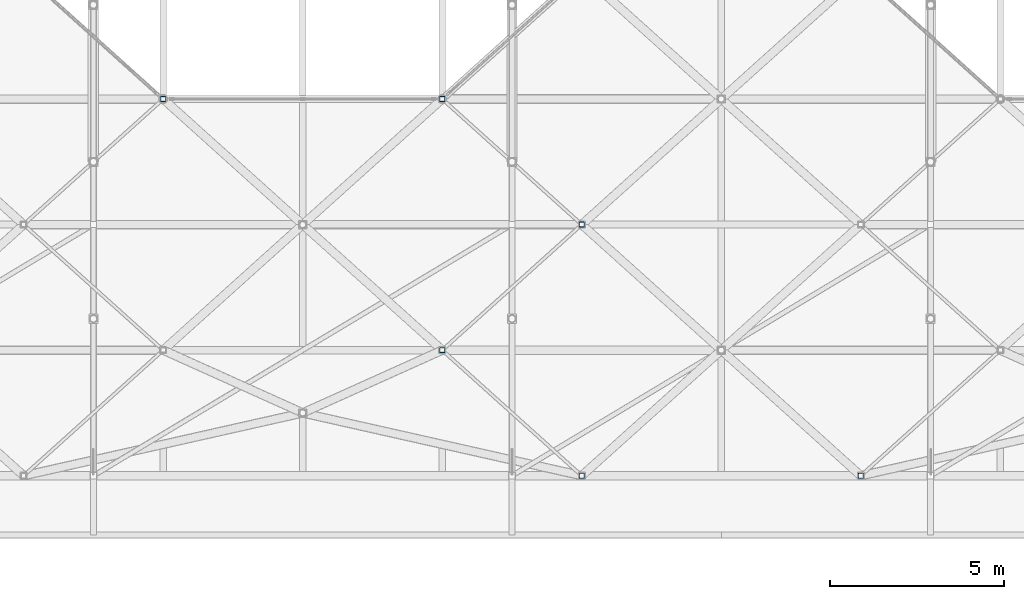
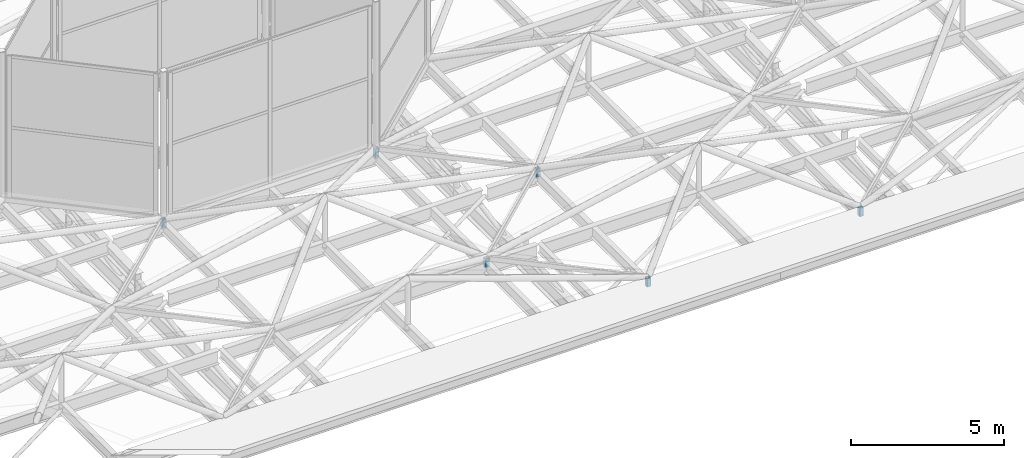
# One storey, part 193 of 239: 6 members.
"""IFC4 building model written with IfcOpenShell, lengths in metres."""

import ifcopenshell
import ifcopenshell.guid

model = None  # the IFC model being written
_history = None  # IfcOwnerHistory: only IFC2X3 demands one
_inside = {}  # id of a spatial element -> (the spatial element, [elements in it])
_under = {}  # id of a project, library or spatial element -> (it, [spatial elements below it])
_declared = {}  # id of a project -> (the project, [libraries it declares])
_typed = {}  # id of a type object -> (the type object, [elements of that type])
_made_of = {}  # id of a material, layer set ... -> (it, [elements and type objects made of it])


def new_model(schema):
    """Start an empty IFC model of exactly this schema.

    Asked for "IFC4X3", IfcOpenShell would pick the latest addendum, in which some entities
    have other attributes; the version numbers below select the first issue.
    IFC2X3 requires an IfcOwnerHistory on every rooted entity: one is made here for all.
    """
    global model, _history
    if schema == "IFC4X3":
        model = ifcopenshell.file(schema_version=(4, 3, 0, 0))
    else:
        model = ifcopenshell.file(schema=schema)
    _inside.clear()
    _under.clear()
    _declared.clear()
    _typed.clear()
    _made_of.clear()
    _history = None
    if model.schema == "IFC2X3":
        org = make("IfcOrganization", Name="unknown")
        user = make(
            "IfcPersonAndOrganization",
            ThePerson=make("IfcPerson", FamilyName="unknown"),
            TheOrganization=org,
        )
        app = make(
            "IfcApplication",
            ApplicationDeveloper=org,
            Version="unknown",
            ApplicationFullName="unknown",
            ApplicationIdentifier="unknown",
        )
        _history = make(
            "IfcOwnerHistory",
            OwningUser=user,
            OwningApplication=app,
            ChangeAction="ADDED",
            CreationDate=0,
        )
    return model


def make(cls, **values):
    """One entity of the class cls with the attributes given. An attribute that is None is left unset."""
    return model.create_entity(
        cls, **{name: value for name, value in values.items() if value is not None}
    )


def rooted(cls, **values):
    """An entity with a GlobalId (a new one), such as an element, a storey or a relation."""
    return make(cls, GlobalId=ifcopenshell.guid.new(), OwnerHistory=_history, **values)


def si_unit(unit_type, name, prefix=None):
    """IfcSIUnit, for example si_unit("LENGTHUNIT", "METRE", prefix="MILLI")."""
    return make("IfcSIUnit", UnitType=unit_type, Prefix=prefix, Name=name)


def assignment(units):
    """IfcUnitAssignment: the units of a project."""
    return None if units is None else make("IfcUnitAssignment", Units=units)


def point(xyz):
    """IfcCartesianPoint."""
    return None if xyz is None else make("IfcCartesianPoint", Coordinates=xyz)


def direction(xyz):
    """IfcDirection."""
    return None if xyz is None else make("IfcDirection", DirectionRatios=xyz)


def frame(location, z_axis=None, x_axis=None):
    """IfcAxis2Placement3D, a coordinate frame: its origin and axes. An axis left out is left unset."""
    return make(
        "IfcAxis2Placement3D",
        Location=point(location),
        Axis=direction(z_axis),
        RefDirection=direction(x_axis),
    )


def frame_2d(location, x_axis=None):
    """IfcAxis2Placement2D, a coordinate frame in the plane: its origin and x axis."""
    return make(
        "IfcAxis2Placement2D", Location=point(location), RefDirection=direction(x_axis)
    )


def origin():
    """The frame at (0, 0, 0) with its axes left unset."""
    return frame((0.0, 0.0, 0.0))


def origin_2d():
    """The frame at (0, 0) in the plane with its x axis left unset."""
    return frame_2d((0.0, 0.0))


def place(relative_to, where):
    """IfcLocalPlacement: puts the frame where relative to a parent placement (None: the world)."""
    return make(
        "IfcLocalPlacement", PlacementRelTo=relative_to, RelativePlacement=where
    )


def context(
    kind, dimensions, precision=None, world=None, true_north=None, identifier=None
):
    """IfcGeometricRepresentationContext, for example the 3D "Model" context."""
    return make(
        "IfcGeometricRepresentationContext",
        ContextIdentifier=identifier,
        ContextType=kind,
        CoordinateSpaceDimension=dimensions,
        Precision=precision,
        WorldCoordinateSystem=world,
        TrueNorth=true_north,
    )


def subcontext(parent, identifier, kind, view, scale=None):
    """IfcGeometricRepresentationSubContext, for example "Body" below "Model"."""
    return make(
        "IfcGeometricRepresentationSubContext",
        ContextIdentifier=identifier,
        ContextType=kind,
        ParentContext=parent,
        TargetScale=scale,
        TargetView=view,
    )


def project(units=None, contexts=None):
    """IfcProject with its units and contexts."""
    return rooted(
        "IfcProject",
        Name="project",
        RepresentationContexts=contexts,
        UnitsInContext=assignment(units),
    )


def spatial(cls, under=None, at=None, **own):
    """A site, building, storey or space (cls), placed at a placement, below another one or the project."""
    s = rooted(cls, ObjectPlacement=at, **own)
    if under is not None:
        _under.setdefault(under.id(), (under, []))[1].append(s)
    return s


def profile(cls, at=None, kind="AREA", **sizes):
    """A parametric profile (cls). Its sizes go by their IFC names, for example OverallWidth=200.0."""
    return make(cls, ProfileType=kind, Position=at, **sizes)


def hollow_rectangle(**sizes):
    """IfcRectangleHollowProfileDef."""
    return profile("IfcRectangleHollowProfileDef", **sizes)


def extrude(swept, where, along, depth):
    """IfcExtrudedAreaSolid: the profile swept, set in the frame where, extruded along a direction by depth."""
    return make(
        "IfcExtrudedAreaSolid",
        SweptArea=swept,
        Position=where,
        ExtrudedDirection=direction(along),
        Depth=depth,
    )


def shape(context_of_items, identifier, shape_type, items):
    """IfcShapeRepresentation: the items that make up one representation, for example the "Body"."""
    return make(
        "IfcShapeRepresentation",
        ContextOfItems=context_of_items,
        RepresentationIdentifier=identifier,
        RepresentationType=shape_type,
        Items=items,
    )


def material(Name=None, Category=None):
    """IfcMaterial."""
    return make("IfcMaterial", Name=Name, Category=Category)


def material_profile(
    of_material, cross_section, Name=None, Category=None, Priority=None
):
    """IfcMaterialProfile: a cross section and its material."""
    return make(
        "IfcMaterialProfile",
        Name=Name,
        Material=of_material,
        Profile=cross_section,
        Priority=Priority,
        Category=Category,
    )


def profile_set(profiles, Name=None, composite=None):
    """IfcMaterialProfileSet."""
    return make(
        "IfcMaterialProfileSet",
        Name=Name,
        MaterialProfiles=profiles,
        CompositeProfile=composite,
    )


def made_of(thing, what):
    """Note that an element or type object is made of a material, layer set ...; save() writes the relation."""
    if what is not None:
        _made_of.setdefault(what.id(), (what, []))[1].append(thing)
    return thing


def type_object(cls, material=None, **own):
    """A type object (cls), such as IfcWallType, which elements share."""
    return made_of(rooted(cls, **own), material)


def element(
    cls,
    number,
    at=None,
    inside=None,
    cuts=None,
    type_object=None,
    material=None,
    context=None,
    identifier="Body",
    shape_type=None,
    held_by="IfcProductDefinitionShape",
    body=None,
    shapes=None,
    **own,
):
    """One element of the class cls, such as IfcWall. Its Tag is "e" and its number.

    at: its placement. inside: the storey or other place that contains it. cuts: it is an
    opening in that element (IfcRelVoidsElement). A single representation is given by context,
    identifier, shape_type and body (its items); several are given by shapes. held_by: the class
    of the entity that holds the representations. save() writes the other relations.
    """
    e = rooted(cls, Tag="e%d" % number, ObjectPlacement=at, **own)
    if body is not None:
        shapes = [shape(context, identifier, shape_type, body)]
    if shapes is not None:
        e.Representation = make(held_by, Representations=shapes)
    if inside is not None:
        _inside.setdefault(inside.id(), (inside, []))[1].append(e)
    if cuts is not None:
        rooted(
            "IfcRelVoidsElement", RelatingBuildingElement=cuts, RelatedOpeningElement=e
        )
    if type_object is not None:
        _typed.setdefault(type_object.id(), (type_object, []))[1].append(e)
    return made_of(e, material)


def aggregate(whole, parts):
    """IfcRelAggregates: a whole, such as a stair, and the parts it consists of."""
    return rooted("IfcRelAggregates", RelatingObject=whole, RelatedObjects=parts)


def save(model, path):
    """Write the relations noted so far, then the file.

    IfcRelAggregates (storeys below a building ...), IfcRelContainedInSpatialStructure (elements
    in a storey), IfcRelDefinesByType, IfcRelAssociatesMaterial and IfcRelDeclares: one each for
    every whole, place, type object, material and project.
    """
    for whole, parts in _under.values():
        aggregate(whole, parts)
    for where, things in _inside.values():
        rooted(
            "IfcRelContainedInSpatialStructure",
            RelatedElements=things,
            RelatingStructure=where,
        )
    for kind, things in _typed.values():
        rooted("IfcRelDefinesByType", RelatedObjects=things, RelatingType=kind)
    for what, things in _made_of.values():
        rooted("IfcRelAssociatesMaterial", RelatedObjects=things, RelatingMaterial=what)
    for by, libraries in _declared.values():
        rooted("IfcRelDeclares", RelatingContext=by, RelatedDefinitions=libraries)
    model.write(path)


model = new_model("IFC4")

# Units and contexts
model_context = context("Model", 3, precision=1e-05, world=origin(), true_north=direction((0.0, 1.0)))
body_context = subcontext(model_context, "Body", "Model", "MODEL_VIEW")
ifc_project = project(units=[si_unit("LENGTHUNIT", "METRE"), si_unit("AREAUNIT", "SQUARE_METRE"), si_unit("VOLUMEUNIT", "CUBIC_METRE"), si_unit("PLANEANGLEUNIT", "RADIAN"), si_unit("MASSUNIT", "GRAM", prefix="KILO")], contexts=[model_context])

# Site, building, storey
site_placement = place(None, origin())
site = spatial("IfcSite", under=ifc_project, at=site_placement, CompositionType="ELEMENT")
building_placement = place(site_placement, origin())
building = spatial("IfcBuilding", under=site, at=building_placement, Name="Dunvalen Ferry Terminal", CompositionType="ELEMENT")
storey_placement = place(building_placement, frame((0.0, 0.0, 9.840087890625)))
storey = spatial("IfcBuildingStorey", under=building, at=storey_placement, Name="L02", CompositionType="ELEMENT", Elevation=9.840087890625)

# Members
ifc_material = material(Name="Steel S355", Category="steel")
ifc_material_profile = material_profile(ifc_material, hollow_rectangle(XDim=0.14990234375, YDim=0.14990234375, WallThickness=0.008056640625, InnerFilletRadius=0.008056640625, OuterFilletRadius=0.01611328125, at=origin_2d()), Name="Steel S355")
ifc_profile_set = profile_set([ifc_material_profile], Name="Steel S355")
member_type = type_object("IfcMemberType", Name="STR-MB-SHS150", PredefinedType="BRACE", material=ifc_profile_set)
for number, where, z_axis, x_axis, name in (
    (1, (50.0, 61.199951171875, 0.77001953125), (0.0, 0.0, 1.0), (1.0, 0.0, 0.0), "HEX-19 Rim Pedestal Strut 4"),
    (2, (62.0, 50.39990234375, 0.77001953125), (0.0, 0.0, 1.0), (1.0, 0.0, 0.0), "HEX-23 Rim Pedestal Strut 2"),
    (3, (58.0, 54.0, 0.77001953125), (0.0, 0.0, 1.0), (1.0, 0.0, 0.0), "HEX-23 Rim Pedestal Strut 3"),
    (4, (62.0, 57.60009765625, 0.77001953125), (0.0, 0.0, 1.0), (1.0, 0.0, 0.0), "HEX-24 Rim Pedestal Strut 4"),
    (5, (58.0, 61.199951171875, 0.77001953125), (0.0, 0.0, 1.0), (1.0, 0.0, 0.0), "HEX-24 Rim Pedestal Strut 5"),
    (6, (70.0, 50.39990234375, 0.77001953125), (0.0, 0.0, 1.0), (1.0, 0.0, 0.0), "HEX-29 Rim Pedestal Strut 3"),
):
    element("IfcMember", number, at=place(storey_placement, frame(where, z_axis=z_axis, x_axis=x_axis)), inside=storey, type_object=member_type, Name=name, PredefinedType="BRACE", context=body_context, shape_type="SweptSolid", body=[
        extrude(hollow_rectangle(XDim=0.14990234375, YDim=0.14990234375, WallThickness=0.008056640625, InnerFilletRadius=0.008056640625, OuterFilletRadius=0.01611328125, at=origin_2d()), origin(), (0.0, 0.0, 1.0), 0.329833984375),
    ])

save(model, "model.ifc")
